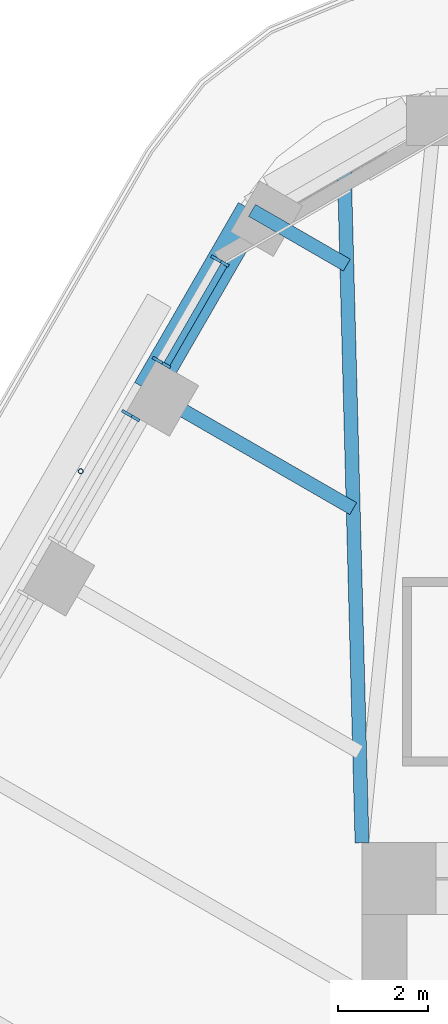
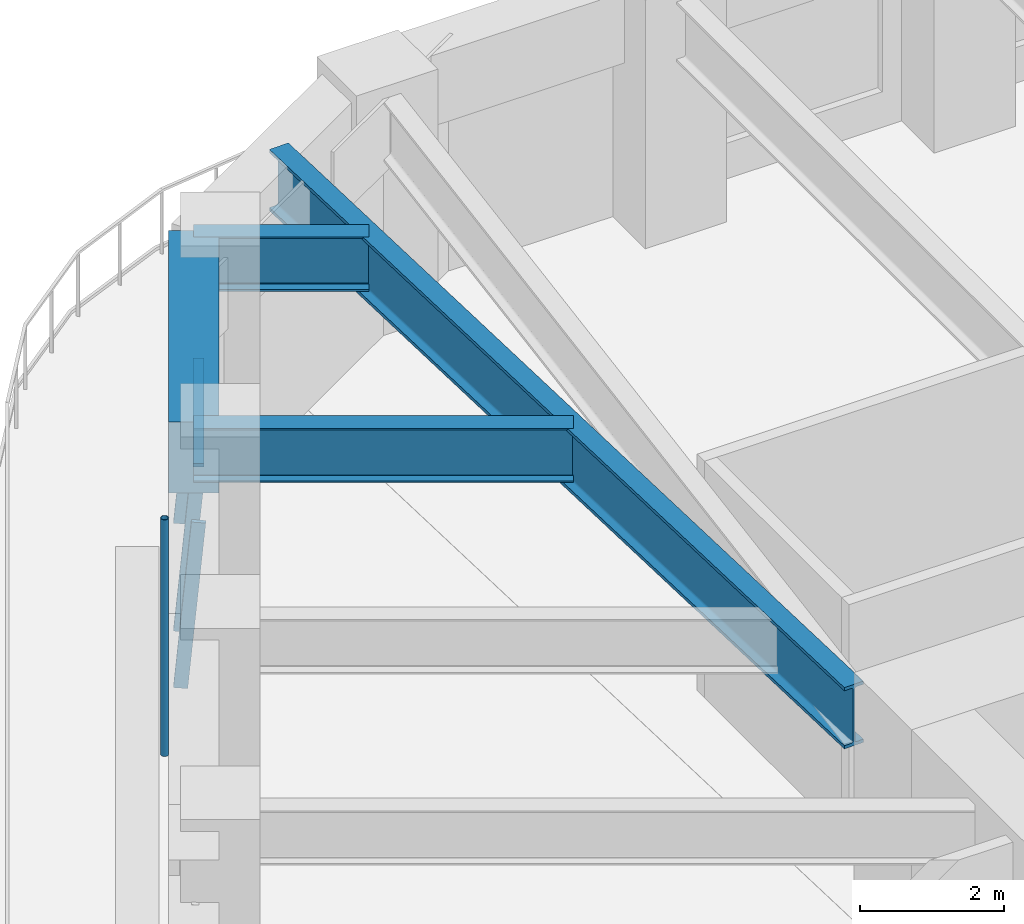
# One storey, part 8 of 20: 5 members, 4 beams, 2 elements without a shape of their own.
"""IFC4 building model written with IfcOpenShell, lengths in metres."""

from ifc_helpers import new_model, si_unit, direction, frame, origin, origin_2d, place, context, subcontext, project, spatial, rectangle, hollow_circle, i_section, extrude, material, material_profile, profile_set, type_object, element, aggregate, save


model = new_model("IFC4")

# Units and contexts
model_context = context("Model", 3, precision=1e-05, world=origin(), true_north=direction((0.0, 1.0)))
body_context = subcontext(model_context, "Body", "Model", "MODEL_VIEW")
ifc_project = project(units=[si_unit("LENGTHUNIT", "METRE"), si_unit("AREAUNIT", "SQUARE_METRE"), si_unit("VOLUMEUNIT", "CUBIC_METRE"), si_unit("PLANEANGLEUNIT", "RADIAN"), si_unit("MASSUNIT", "GRAM", prefix="KILO")], contexts=[model_context])

# Site, building, storey
site_placement = place(None, origin())
site = spatial("IfcSite", under=ifc_project, at=site_placement, CompositionType="ELEMENT")
building_placement = place(site_placement, origin())
building = spatial("IfcBuilding", under=site, at=building_placement, Name="Tarfa Lantern Tower", CompositionType="ELEMENT")
storey_placement = place(building_placement, frame((0.0, 0.0, 244.89990234375)))
storey = spatial("IfcBuildingStorey", under=building, at=storey_placement, Name="L55", CompositionType="ELEMENT", Elevation=244.89990234375)

# Curtain wall, members
ifc_material_1 = material(Name="Aluminium framed curtain wall", Category="aluminium")
curtain_wall_type = type_object("IfcCurtainWallType", Name="CW3 CANTED GLAZING HIGH ZONE 2800", PredefinedType="USERDEFINED", material=ifc_material_1)
curtain_wall_1_placement = place(storey_placement, origin())
curtain_wall_1 = element("IfcCurtainWall", 1, at=curtain_wall_1_placement, inside=storey, type_object=curtain_wall_type, Name="CW3 NW L55", ObjectType="CURTAIN WALL", PredefinedType="USERDEFINED")
ifc_material_2 = material(Name="Aluminium mullion", Category="aluminium")
ifc_material_profile_1 = material_profile(ifc_material_2, rectangle(XDim=0.06494140625, YDim=0.199951171875, at=origin_2d()), Name="AL MULLION 65x200")
ifc_profile_set_1 = profile_set([ifc_material_profile_1], Name="Aluminium mullion")
member_type_1 = type_object("IfcMemberType", Name="CWM1 MULLION 65x200", PredefinedType="MULLION", material=ifc_profile_set_1)
member_1_placement = place(storey_placement, frame((-18.76611328125, 25.296142578125, 0.0), z_axis=(0.077032386753, -0.044465143199, 0.996036576854), x_axis=(0.499919672301, 0.866071776036, 0.0)))
member_1 = element("IfcMember", 2, at=member_1_placement, type_object=member_type_1, Name="CW3 mullion 1", PredefinedType="MULLION", context=body_context, shape_type="SweptSolid", body=[
    extrude(rectangle(XDim=0.06494140625, YDim=0.199951171875, at=origin_2d()), origin(), (0.0, 0.0, 1.0), 2.811279296875),
])
member_2_placement = place(storey_placement, frame((-20.068115234375, 23.041015625, 0.0), z_axis=(0.077032386753, -0.044465143199, 0.996036576854), x_axis=(0.499919672301, 0.866071776036, 0.0)))
member_2 = element("IfcMember", 3, at=member_2_placement, type_object=member_type_1, Name="CW3 mullion 2", PredefinedType="MULLION", context=body_context, shape_type="SweptSolid", body=[
    extrude(rectangle(XDim=0.06494140625, YDim=0.199951171875, at=origin_2d()), origin(), (0.0, 0.0, 1.0), 2.811279296875),
])

# Curtain wall, member
curtain_wall_2_placement = place(storey_placement, origin())
curtain_wall_2 = element("IfcCurtainWall", 4, at=curtain_wall_2_placement, inside=storey, type_object=curtain_wall_type, Name="CW3 NW L55", ObjectType="CURTAIN WALL", PredefinedType="USERDEFINED")
member_3_placement = place(storey_placement, frame((-20.75048828125, 21.85888671875, 0.0), z_axis=(0.076946055247, -0.044465440504, 0.996043236603), x_axis=(0.500342721131, 0.865827443207, 0.0)))
member_3 = element("IfcMember", 5, at=member_3_placement, type_object=member_type_1, Name="CW3 mullion 1", PredefinedType="MULLION", context=body_context, shape_type="SweptSolid", body=[
    extrude(rectangle(XDim=0.06494140625, YDim=0.199951171875, at=origin_2d()), origin(), (0.0, 0.0, 1.0), 2.811279296875),
])
aggregate(curtain_wall_2, [member_3])

# Member
ifc_material_3 = material(Name="Aluminium transom", Category="aluminium")
ifc_material_profile_2 = material_profile(ifc_material_3, rectangle(XDim=0.14990234375, YDim=0.06494140625, at=origin_2d()), Name="AL TRANSOM 150x65")
ifc_profile_set_2 = profile_set([ifc_material_profile_2], Name="Aluminium transom")
member_type_2 = type_object("IfcMemberType", Name="CWT1 TRANSOM 150x65", PredefinedType="USERDEFINED", material=ifc_profile_set_2)
member_4_placement = place(storey_placement, frame((-18.568359375, 25.144287109375, 2.767578125), z_axis=(-0.500027655771, -0.866009436129, 0.0), x_axis=(0.866009436129, -0.500027655771, 0.0)))
member_4 = element("IfcMember", 6, at=member_4_placement, type_object=member_type_2, Name="CW3 transom 1.2", ObjectType="TRANSOM", PredefinedType="USERDEFINED", context=body_context, shape_type="SweptSolid", body=[
    extrude(rectangle(XDim=0.14990234375, YDim=0.06494140625, at=origin_2d()), origin(), (0.0, 0.0, 1.0), 2.538818359375),
])

aggregate(curtain_wall_1, [member_1, member_2, member_4])

# Beam
ifc_material_4 = material(Name="Concrete C80/95", Category="concrete")
ifc_material_profile_3 = material_profile(ifc_material_4, rectangle(XDim=0.699951171875, YDim=1.199951171875, at=origin_2d()), Name="RC 700x1200")
ifc_profile_set_3 = profile_set([ifc_material_profile_3], Name="Concrete C80/95")
beam_type_1 = type_object("IfcBeamType", Name="EB3 RC 700x1200", PredefinedType="SPANDREL", material=ifc_profile_set_3)
beam_1_placement = place(storey_placement, frame((-17.944091796875, 26.360107421875, 3.400146484375), z_axis=(-0.499987836815, -0.866032426089, 0.0), x_axis=(0.866032426089, -0.499987836815, 0.0)))
element("IfcBeam", 7, at=beam_1_placement, inside=storey, type_object=beam_type_1, Name="Edge beam NW0", PredefinedType="SPANDREL", context=body_context, shape_type="SweptSolid", body=[
    extrude(rectangle(XDim=0.699951171875, YDim=1.199951171875, at=origin_2d()), origin(), (0.0, 0.0, 1.0), 4.61865234375),
])

# Member
ifc_material_5 = material(Name="Steel S355", Category="steel")
ifc_material_profile_4 = material_profile(ifc_material_5, hollow_circle(Radius=0.05712890625, WallThickness=0.00634765625, at=origin_2d()), Name="CHS114.3x6.3")
ifc_profile_set_4 = profile_set([ifc_material_profile_4], Name="Steel S355")
member_type_3 = type_object("IfcMemberType", Name="TR1 GREEN WALL TRELLIS CHS114.3x6.3", PredefinedType="USERDEFINED", material=ifc_profile_set_4)
member_5_placement = place(storey_placement, frame((-21.754638671875, 20.56005859375, 0.0), z_axis=(0.0, 0.0, 1.0), x_axis=(1.0, 0.0, 0.0)))
element("IfcMember", 8, at=member_5_placement, inside=storey, type_object=member_type_3, Name="Trellis post NW 1", ObjectType="TRELLIS", PredefinedType="USERDEFINED", context=body_context, shape_type="SweptSolid", body=[
    extrude(hollow_circle(Radius=0.05712890625, WallThickness=0.00634765625, at=origin_2d()), origin(), (0.0, 0.0, 1.0), 4.0),
])

# Beams
ifc_material_6 = material(Name="Steel S460M", Category="steel")
ifc_material_profile_5 = material_profile(ifc_material_6, i_section(OverallWidth=0.30859375, OverallDepth=1.036376953125, WebThickness=0.030029296875, FlangeThickness=0.05419921875, FilletRadius=0.030029296875, at=origin_2d()), Name="UB1016x305x487")
ifc_profile_set_5 = profile_set([ifc_material_profile_5], Name="Steel S460M")
beam_type_2 = type_object("IfcBeamType", Name="UB1016x305x487", PredefinedType="BEAM", material=ifc_profile_set_5)
beam_2_placement = place(storey_placement, frame((-15.5, 12.300048828125, 3.48193359375), z_axis=(-0.026247301989, 0.999655480222, 0.0), x_axis=(-0.999655480222, -0.026247301989, 0.0)))
element("IfcBeam", 9, at=beam_2_placement, inside=storey, type_object=beam_type_2, Name="Hip girder NW", PredefinedType="BEAM", context=body_context, shape_type="SweptSolid", body=[
    extrude(i_section(OverallWidth=0.30859375, OverallDepth=1.036376953125, WebThickness=0.030029296875, FlangeThickness=0.05419921875, FilletRadius=0.030029296875, at=origin_2d()), origin(), (0.0, 0.0, 1.0), 15.245361328125),
])
ifc_material_profile_6 = material_profile(ifc_material_6, i_section(OverallWidth=0.305419921875, OverallDepth=0.91845703125, WebThickness=0.017333984375, FlangeThickness=0.02783203125, FilletRadius=0.01904296875, at=origin_2d()), Name="UB914x305x253")
ifc_profile_set_6 = profile_set([ifc_material_profile_6], Name="Steel S460M")
beam_type_3 = type_object("IfcBeamType", Name="UB914x305x253", PredefinedType="BEAM", material=ifc_profile_set_6)
beam_3_placement = place(storey_placement, frame((-17.944091796875, 26.360107421875, 3.541015625), z_axis=(0.865980009423, -0.5000786171, 0.0), x_axis=(0.5000786171, 0.865980009423, 0.0)))
element("IfcBeam", 10, at=beam_3_placement, inside=storey, type_object=beam_type_3, Name="Floor beam NW0", PredefinedType="BEAM", context=body_context, shape_type="SweptSolid", body=[
    extrude(i_section(OverallWidth=0.305419921875, OverallDepth=0.91845703125, WebThickness=0.017333984375, FlangeThickness=0.02783203125, FilletRadius=0.01904296875, at=origin_2d()), origin(), (0.0, 0.0, 1.0), 2.4326171875),
])
beam_4_placement = place(storey_placement, frame((-20.25341796875, 22.360107421875, 3.541015625), z_axis=(0.86601951648, -0.500010196972, 0.0), x_axis=(0.500010196972, 0.86601951648, 0.0)))
element("IfcBeam", 11, at=beam_4_placement, inside=storey, type_object=beam_type_3, Name="Floor beam NW1", PredefinedType="BEAM", context=body_context, shape_type="SweptSolid", body=[
    extrude(i_section(OverallWidth=0.305419921875, OverallDepth=0.91845703125, WebThickness=0.017333984375, FlangeThickness=0.02783203125, FilletRadius=0.01904296875, at=origin_2d()), origin(), (0.0, 0.0, 1.0), 5.263671875),
])

save(model, "model.ifc")
